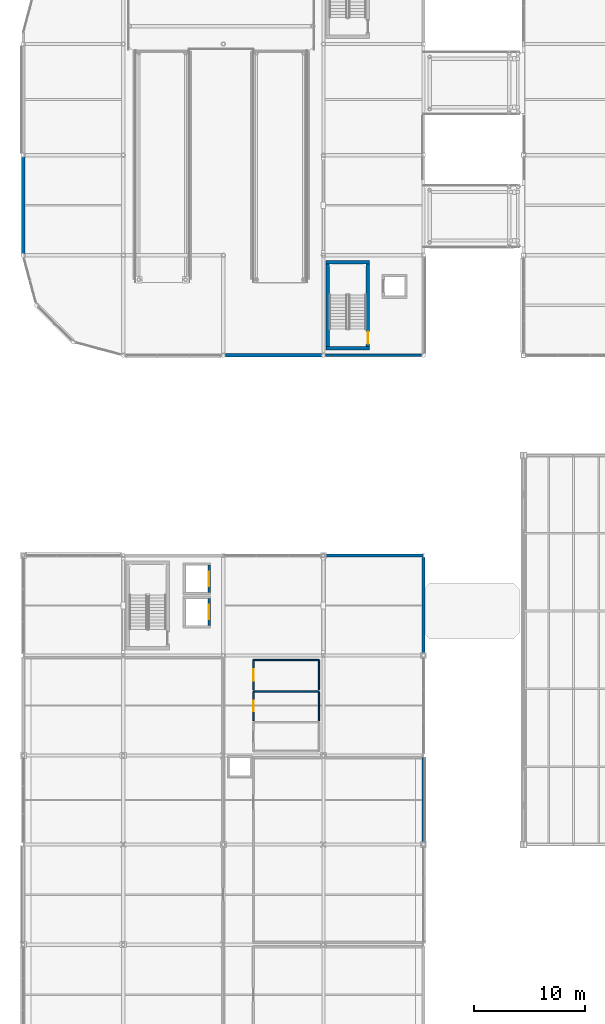
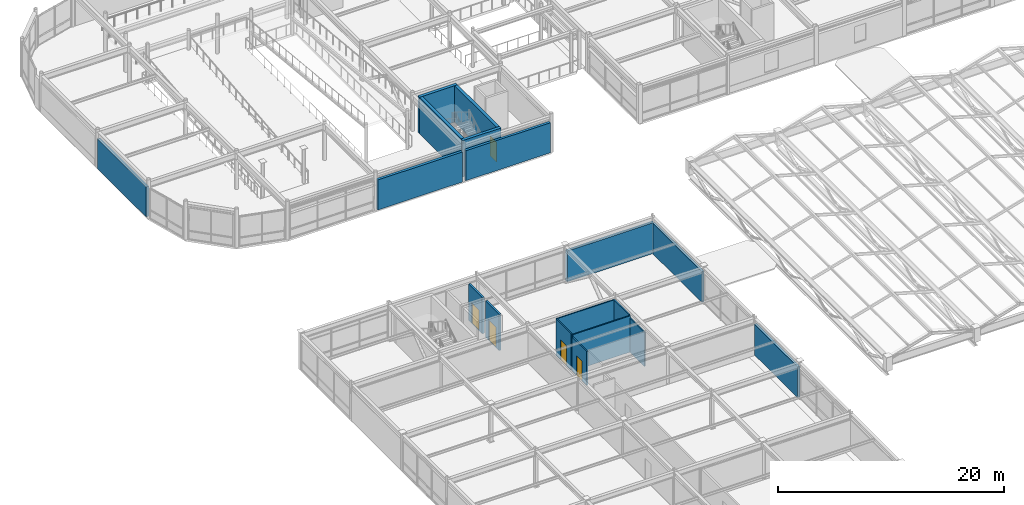
# One storey, part 78 of 108: 18 walls, 5 doors, 5 openings.
"""IFC4 building model written with IfcOpenShell, lengths in metres."""

from ifc_helpers import new_model, si_unit, direction, frame, frame_2d, origin, place, context, subcontext, project, spatial, rectangle, extrude, material, layer, layer_set, type_object, element, fill, save


model = new_model("IFC4")

# Units and contexts
model_context = context("Model", 3, precision=1e-05, world=origin(), true_north=direction((0.0, 1.0)))
body_context = subcontext(model_context, "Body", "Model", "MODEL_VIEW")
ifc_project = project(units=[si_unit("LENGTHUNIT", "METRE"), si_unit("AREAUNIT", "SQUARE_METRE"), si_unit("VOLUMEUNIT", "CUBIC_METRE"), si_unit("PLANEANGLEUNIT", "RADIAN"), si_unit("MASSUNIT", "GRAM", prefix="KILO")], contexts=[model_context])

# Site, building, storey
site_placement = place(None, origin())
site = spatial("IfcSite", under=ifc_project, at=site_placement, CompositionType="ELEMENT")
building_placement = place(site_placement, origin())
building = spatial("IfcBuilding", under=site, at=building_placement, Name="Suzunagisa Mobility Hub", CompositionType="ELEMENT")
storey_placement = place(building_placement, frame((0.0, 0.0, 9.300048828125)))
storey = spatial("IfcBuildingStorey", under=building, at=storey_placement, Name="L02", CompositionType="ELEMENT", Elevation=9.300048828125)

# Walls
ifc_material_1 = material(Name="Porcelain-Faced Insulated Concrete C30/37 Wall", Category="concrete")
ifc_layer_1 = layer(ifc_material_1, 0.260009765625)
ifc_layer_set_1 = layer_set([ifc_layer_1], Name="Porcelain-Faced Insulated Concrete C30/37 Wall")
wall_type_1 = type_object("IfcWallType", Name="Exterior Wall EW-03 260mm", PredefinedType="SOLIDWALL", material=ifc_layer_set_1)
wall_1_placement = place(storey_placement, frame((36.0, 36.14990234375, 0.0), z_axis=(0.0, 0.0, 1.0), x_axis=(0.0, 1.0, 0.0)))
element("IfcWall", 1, at=wall_1_placement, inside=storey, type_object=wall_type_1, Name="L02 Exterior Facade Wall EW-50", PredefinedType="SOLIDWALL", context=body_context, shape_type="SweptSolid", body=[
    extrude(rectangle(XDim=7.68017578125, YDim=0.260009765625, at=frame_2d((3.840087890625, 0.0))), origin(), (0.0, 0.0, 1.0), 3.33203125),
])
wall_2_placement = place(storey_placement, frame((27.177734375, 80.0, 0.0), z_axis=(0.0, 0.0, 1.0), x_axis=(1.0, 0.0, 0.0)))
element("IfcWall", 2, at=wall_2_placement, inside=storey, type_object=wall_type_1, Name="L02 Exterior Facade Wall EW-114", PredefinedType="SOLIDWALL", context=body_context, shape_type="SweptSolid", body=[
    extrude(rectangle(XDim=8.64453125, YDim=0.260009765625, at=frame_2d((4.322265625, 0.0))), origin(), (0.0, 0.0, 1.0), 3.25),
])
ifc_material_2 = material(Name="Lightweight Insulated Autoclaved Concrete C30/37 Wall", Category="concrete")
ifc_layer_2 = layer(ifc_material_2, 0.239990234375)
ifc_layer_set_2 = layer_set([ifc_layer_2], Name="Lightweight Insulated Autoclaved Concrete C30/37 Wall")
wall_type_2 = type_object("IfcWallType", Name="Exterior Wall EW-04 240mm", PredefinedType="SOLIDWALL", material=ifc_layer_set_2)
wall_3_placement = place(storey_placement, frame((36.0, 53.14990234375, 0.0), z_axis=(0.0, 0.0, 1.0), x_axis=(0.0, 1.0, 0.0)))
element("IfcWall", 3, at=wall_3_placement, inside=storey, type_object=wall_type_2, Name="L02 Exterior Facade Wall EW-51", PredefinedType="SOLIDWALL", context=body_context, shape_type="SweptSolid", body=[
    extrude(rectangle(XDim=8.68017578125, YDim=0.239990234375, at=frame_2d((4.340087890625, 0.0))), origin(), (0.0, 0.0, 1.0), 3.33203125),
])
ifc_layer_3 = layer(ifc_material_1, 0.280029296875)
ifc_layer_set_3 = layer_set([ifc_layer_3], Name="Porcelain-Faced Insulated Concrete C30/37 Wall")
wall_type_3 = type_object("IfcWallType", Name="Exterior Wall EW-08 280mm", PredefinedType="SOLIDWALL", material=ifc_layer_set_3)
for number, where, z_axis, x_axis, name in (
    (4, (18.177734375, 80.0, 0.0), (0.0, 0.0, 1.0), (1.0, 0.0, 0.0), "L02 Exterior Facade Wall EW-113"),
    (5, (0.0, 97.822265625, 0.0), (0.0, 0.0, 1.0), (0.0, -1.0, 0.0), "L02 Exterior Facade Wall EW-121"),
):
    element("IfcWall", number, at=place(storey_placement, frame(where, z_axis=z_axis, x_axis=x_axis)), inside=storey, type_object=wall_type_3, Name=name, PredefinedType="SOLIDWALL", context=body_context, shape_type="SweptSolid", body=[
        extrude(rectangle(XDim=8.64453125, YDim=0.280029296875, at=frame_2d((4.322265625, 0.0))), origin(), (0.0, 0.0, 1.0), 3.25),
    ])
ifc_material_3 = material(Name="Insulated Precast Concrete C35/45 Panel", Category="concrete")
ifc_layer_4 = layer(ifc_material_3, 0.300048828125)
ifc_layer_set_4 = layer_set([ifc_layer_4], Name="Insulated Precast Concrete C35/45 Panel")
wall_type_4 = type_object("IfcWallType", Name="Exterior Wall EW-09 300mm", PredefinedType="SOLIDWALL", material=ifc_layer_set_4)
wall_4_placement = place(storey_placement, frame((35.99560546875, 62.0, 0.0), z_axis=(0.0, 0.0, 1.0), x_axis=(-1.0, 0.0, 0.0)))
element("IfcWall", 6, at=wall_4_placement, inside=storey, type_object=wall_type_4, Name="L02 Exterior Facade Wall EW-52", PredefinedType="SOLIDWALL", context=body_context, shape_type="SweptSolid", body=[
    extrude(rectangle(XDim=8.845703125, YDim=0.300048828125, at=frame_2d((4.4228515625, 0.0))), origin(), (0.0, 0.0, 1.0), 3.33203125),
])
ifc_material_4 = material(Name="Concrete C35/45", Category="concrete")
ifc_layer_5 = layer(ifc_material_4, 0.31005859375)
ifc_layer_set_5 = layer_set([ifc_layer_5], Name="Concrete C35/45")
wall_type_5 = type_object("IfcWallType", Name="Interior Wall IW-01 310mm", PredefinedType="SHEAR", material=ifc_layer_set_5)
for number, where, z_axis, x_axis, name in (
    (7, (27.25, 80.64501953125, 0.0), (0.0, 0.0, 1.0), (1.0, 0.0, 0.0), "L02 Core C6 Shear Wall SW-133"),
    (8, (27.25, 88.35498046875, 0.0), (0.0, 0.0, 1.0), (1.0, 0.0, 0.0), "L02 Core C6 Shear Wall SW-134"),
):
    element("IfcWall", number, at=place(storey_placement, frame(where, z_axis=z_axis, x_axis=x_axis)), inside=storey, type_object=wall_type_5, Name=name, PredefinedType="SHEAR", context=body_context, shape_type="SweptSolid", body=[
        extrude(rectangle(XDim=3.89990234375, YDim=0.31005859375, at=frame_2d((1.949951171875, 0.0))), origin(), (0.0, 0.0, 1.0), 3.949951171875),
    ])
wall_5_placement = place(storey_placement, frame((27.405029296875, 80.800048828125, 0.0), z_axis=(0.0, 0.0, 1.0), x_axis=(0.0, 1.0, 0.0)))
element("IfcWall", 9, at=wall_5_placement, inside=storey, type_object=wall_type_5, Name="L02 Core C6 Shear Wall SW-135", PredefinedType="SHEAR", context=body_context, shape_type="SweptSolid", body=[
    extrude(rectangle(XDim=7.39990234375, YDim=0.31005859375, at=frame_2d((3.699951171875, 0.0))), origin(), (0.0, 0.0, 1.0), 3.949951171875),
])

# Wall, opening, door
wall_6_placement = place(storey_placement, frame((30.9951171875, 80.800048828125, 0.0), z_axis=(0.0, 0.0, 1.0), x_axis=(0.0, 1.0, 0.0)))
wall_6 = element("IfcWall", 10, at=wall_6_placement, inside=storey, type_object=wall_type_5, Name="L02 Core C6 Shear Wall SW-136", PredefinedType="SHEAR", context=body_context, shape_type="SweptSolid", body=[
    extrude(rectangle(XDim=7.39990234375, YDim=0.31005859375, at=frame_2d((3.699951171875, 0.0))), origin(), (0.0, 0.0, 1.0), 3.949951171875),
])
opening_1_placement = place(wall_6_placement, frame((0.219970703125, 0.0, 0.0)))
opening_1 = element("IfcOpeningElement", 11, at=opening_1_placement, cuts=wall_6, Name="Opening DR-05", PredefinedType="OPENING", context=body_context, shape_type="SweptSolid", body=[
    extrude(rectangle(XDim=1.10009765625, YDim=2.14990234375, at=frame_2d((0.550048828125, 1.074951171875))), frame((0.0, 0.166015625, 0.0), z_axis=(0.0, -1.0, 0.0), x_axis=(1.0, 0.0, 0.0)), (0.0, 0.0, 1.0), 0.33203125),
])
ifc_material_5 = material(Name="Fire-Rated Hollow Steel Stair Door", Category="steel")
door_type_1 = type_object("IfcDoorType", Name="Interior Door DR-05 1100x2150", OperationType="SINGLE_SWING_LEFT", PredefinedType="DOOR", material=ifc_material_5)
door_1_placement = place(opening_1_placement, origin())
door_1 = element("IfcDoor", 12, at=door_1_placement, inside=storey, type_object=door_type_1, Name="L02 Core C6 Escape Stair Fire Door SD-32", OperationType="SINGLE_SWING_RIGHT", OverallHeight=2.14990234375, OverallWidth=1.10009765625, PredefinedType="DOOR", context=body_context, shape_type="SweptSolid", body=[
    extrude(rectangle(XDim=1.10009765625, YDim=2.14990234375, at=frame_2d((0.550048828125, 1.074951171875))), frame((0.0, 0.02490234375, 0.0), z_axis=(0.0, -1.0, 0.0), x_axis=(1.0, 0.0, 0.0)), (0.0, 0.0, 1.0), 0.050048828125),
])
fill(opening_1, door_1)

# Wall
ifc_material_6 = material(Name="Moisture-Resistant Gypsum Partition", Category="gypsum")
ifc_layer_6 = layer(ifc_material_6, 0.1201171875)
ifc_layer_set_6 = layer_set([ifc_layer_6], Name="Moisture-Resistant Gypsum Partition")
wall_type_6 = type_object("IfcWallType", Name="Interior Wall IW-02 120mm", PredefinedType="PARTITIONING", material=ifc_layer_set_6)
wall_7_placement = place(storey_placement, frame((20.699951171875, 49.75, 0.0), z_axis=(0.0, 0.0, 1.0), x_axis=(1.0, 0.0, 0.0)))
element("IfcWall", 13, at=wall_7_placement, inside=storey, type_object=wall_type_6, Name="L02 West Concourse Female WC L02 Partition PW-669", PredefinedType="PARTITIONING", context=body_context, shape_type="SweptSolid", body=[
    extrude(rectangle(XDim=5.900146484375, YDim=0.1201171875, at=frame_2d((2.9501953125, 0.0))), origin(), (0.0, 0.0, 1.0), 3.919921875),
])

# Wall, opening, door
wall_8_placement = place(storey_placement, frame((20.699951171875, 47.14990234375, 0.0), z_axis=(0.0, 0.0, 1.0), x_axis=(0.0, 1.0, 0.0)))
wall_8 = element("IfcWall", 14, at=wall_8_placement, inside=storey, type_object=wall_type_6, Name="L02 West Concourse Female WC L02 Partition PW-670", PredefinedType="PARTITIONING", context=body_context, shape_type="SweptSolid", body=[
    extrude(rectangle(XDim=2.60009765625, YDim=0.1201171875, at=frame_2d((1.300048828125, 0.0))), origin(), (0.0, 0.0, 1.0), 3.669921875),
])
opening_2_placement = place(wall_8_placement, frame((0.824951171875, 0.0, 0.0)))
opening_2 = element("IfcOpeningElement", 15, at=opening_2_placement, cuts=wall_8, Name="Opening DR-19", PredefinedType="OPENING", context=body_context, shape_type="SweptSolid", body=[
    extrude(rectangle(XDim=0.949951171875, YDim=2.14990234375, at=frame_2d((0.47509765625, 1.074951171875))), frame((0.0, 0.071044921875, 0.0), z_axis=(0.0, -1.0, 0.0), x_axis=(1.0, 0.0, 0.0)), (0.0, 0.0, 1.0), 0.14208984375),
])
ifc_material_7 = material(Name="Sanitary Restroom Acoustic Door")
door_type_2 = type_object("IfcDoorType", Name="Interior Door DR-19 950x2150", OperationType="SINGLE_SWING_LEFT", PredefinedType="DOOR", material=ifc_material_7)
door_2_placement = place(opening_2_placement, origin())
door_2 = element("IfcDoor", 16, at=door_2_placement, inside=storey, type_object=door_type_2, Name="L02 West Concourse Female WC L02 Door DR-168", OperationType="SINGLE_SWING_LEFT", OverallHeight=2.14990234375, OverallWidth=0.949951171875, PredefinedType="DOOR", context=body_context, shape_type="SweptSolid", body=[
    extrude(rectangle(XDim=0.949951171875, YDim=2.14990234375, at=frame_2d((0.47509765625, 1.074951171875))), frame((0.0, 0.02490234375, 0.0), z_axis=(0.0, -1.0, 0.0), x_axis=(1.0, 0.0, 0.0)), (0.0, 0.0, 1.0), 0.050048828125),
])
fill(opening_2, door_2)

# Walls
wall_9_placement = place(storey_placement, frame((26.60009765625, 47.14990234375, 0.0), z_axis=(0.0, 0.0, 1.0), x_axis=(0.0, 1.0, 0.0)))
element("IfcWall", 17, at=wall_9_placement, inside=storey, type_object=wall_type_6, Name="L02 West Concourse Female WC L02 Partition PW-671", PredefinedType="PARTITIONING", context=body_context, shape_type="SweptSolid", body=[
    extrude(rectangle(XDim=2.60009765625, YDim=0.1201171875, at=frame_2d((1.300048828125, 0.0))), origin(), (0.0, 0.0, 1.0), 3.669921875),
])
wall_10_placement = place(storey_placement, frame((20.699951171875, 52.60009765625, 0.0), z_axis=(0.0, 0.0, 1.0), x_axis=(1.0, 0.0, 0.0)))
element("IfcWall", 18, at=wall_10_placement, inside=storey, type_object=wall_type_6, Name="L02 West Accessible WC L02 Partition PW-672", PredefinedType="PARTITIONING", context=body_context, shape_type="SweptSolid", body=[
    extrude(rectangle(XDim=5.900146484375, YDim=0.1201171875, at=frame_2d((2.9501953125, 0.0))), origin(), (0.0, 0.0, 1.0), 3.919921875),
])

# Wall, opening, door
wall_11_placement = place(storey_placement, frame((20.699951171875, 49.89990234375, 0.0), z_axis=(0.0, 0.0, 1.0), x_axis=(0.0, 1.0, 0.0)))
wall_11 = element("IfcWall", 19, at=wall_11_placement, inside=storey, type_object=wall_type_6, Name="L02 West Accessible WC L02 Partition PW-673", PredefinedType="PARTITIONING", context=body_context, shape_type="SweptSolid", body=[
    extrude(rectangle(XDim=2.7001953125, YDim=0.1201171875, at=frame_2d((1.35009765625, 0.0))), origin(), (0.0, 0.0, 1.0), 3.919921875),
])
opening_3_placement = place(wall_11_placement, frame((0.85009765625, 0.0, 0.0)))
opening_3 = element("IfcOpeningElement", 20, at=opening_3_placement, cuts=wall_11, Name="Opening DR-01", PredefinedType="OPENING", context=body_context, shape_type="SweptSolid", body=[
    extrude(rectangle(XDim=1.0, YDim=2.14990234375, at=frame_2d((0.5, 1.074951171875))), frame((0.0, 0.071044921875, 0.0), z_axis=(0.0, -1.0, 0.0), x_axis=(1.0, 0.0, 0.0)), (0.0, 0.0, 1.0), 0.14208984375),
])
ifc_material_8 = material(Name="Barrier-Free Accessible WC Door")
door_type_3 = type_object("IfcDoorType", Name="Interior Door DR-01 1000x2150", OperationType="SINGLE_SWING_LEFT", PredefinedType="DOOR", material=ifc_material_8)
door_3_placement = place(opening_3_placement, origin())
door_3 = element("IfcDoor", 21, at=door_3_placement, inside=storey, type_object=door_type_3, Name="L02 West Accessible WC L02 Door DR-169", OperationType="SINGLE_SWING_RIGHT", OverallHeight=2.14990234375, OverallWidth=1.0, PredefinedType="DOOR", context=body_context, shape_type="SweptSolid", body=[
    extrude(rectangle(XDim=1.0, YDim=2.14990234375, at=frame_2d((0.5, 1.074951171875))), frame((0.0, 0.02490234375, 0.0), z_axis=(0.0, -1.0, 0.0), x_axis=(1.0, 0.0, 0.0)), (0.0, 0.0, 1.0), 0.050048828125),
])
fill(opening_3, door_3)

# Wall
wall_12_placement = place(storey_placement, frame((26.60009765625, 49.89990234375, 0.0), z_axis=(0.0, 0.0, 1.0), x_axis=(0.0, 1.0, 0.0)))
element("IfcWall", 22, at=wall_12_placement, inside=storey, type_object=wall_type_6, Name="L02 West Accessible WC L02 Partition PW-674", PredefinedType="PARTITIONING", context=body_context, shape_type="SweptSolid", body=[
    extrude(rectangle(XDim=2.7001953125, YDim=0.1201171875, at=frame_2d((1.35009765625, 0.0))), origin(), (0.0, 0.0, 1.0), 3.919921875),
])

# Wall, opening, door
ifc_material_9 = material(Name="Fire-Rated Gypsum Stud Partition", Category="gypsum")
ifc_layer_7 = layer(ifc_material_9, 0.2099609375)
ifc_layer_set_7 = layer_set([ifc_layer_7], Name="Fire-Rated Gypsum Stud Partition")
wall_type_7 = type_object("IfcWallType", Name="Interior Wall IW-03 210mm", PredefinedType="PARTITIONING", material=ifc_layer_set_7)
wall_13_placement = place(storey_placement, frame((16.72509765625, 55.679931640625, 0.0), z_axis=(0.0, 0.0, 1.0), x_axis=(0.0, 1.0, 0.0)))
wall_13 = element("IfcWall", 23, at=wall_13_placement, inside=storey, type_object=wall_type_7, Name="L02 Lift LF-01 Shaft Front Wall", PredefinedType="PARTITIONING", context=body_context, shape_type="SweptSolid", body=[
    extrude(rectangle(XDim=2.440185546875, YDim=0.2099609375, at=frame_2d((1.22021484375, 0.0))), origin(), (0.0, 0.0, 1.0), 3.919921875),
])
opening_4_placement = place(wall_13_placement, frame((0.570068359375, 0.0, 0.0)))
opening_4 = element("IfcOpeningElement", 24, at=opening_4_placement, cuts=wall_13, Name="Opening LD-02", PredefinedType="OPENING", context=body_context, shape_type="SweptSolid", body=[
    extrude(rectangle(XDim=1.300048828125, YDim=2.199951171875, at=frame_2d((0.64990234375, 1.10009765625))), frame((0.0, 0.115966796875, 0.0), z_axis=(0.0, -1.0, 0.0), x_axis=(1.0, 0.0, 0.0)), (0.0, 0.0, 1.0), 0.23193359375),
])
ifc_material_10 = material(Name="Brushed Stainless Steel SUS304", Category="metal")
door_type_4 = type_object("IfcDoorType", Name="Lift Landing Sliding Door LD-02 1300x2200", OperationType="SLIDING_TO_LEFT", PredefinedType="DOOR", material=ifc_material_10)
door_4_placement = place(opening_4_placement, origin())
door_4 = element("IfcDoor", 25, at=door_4_placement, inside=storey, type_object=door_type_4, Name="L02 Lift LF-01 Sliding Landing Door", OperationType="SLIDING_TO_LEFT", OverallHeight=2.199951171875, OverallWidth=1.300048828125, PredefinedType="DOOR", context=body_context, shape_type="SweptSolid", body=[
    extrude(rectangle(XDim=1.300048828125, YDim=2.199951171875, at=frame_2d((0.64990234375, 1.10009765625))), frame((0.0, 0.02490234375, 0.0), z_axis=(0.0, -1.0, 0.0), x_axis=(1.0, 0.0, 0.0)), (0.0, 0.0, 1.0), 0.050048828125),
])
fill(opening_4, door_4)

wall_14_placement = place(storey_placement, frame((16.72509765625, 58.679931640625, 0.0), z_axis=(0.0, 0.0, 1.0), x_axis=(0.0, 1.0, 0.0)))
wall_14 = element("IfcWall", 26, at=wall_14_placement, inside=storey, type_object=wall_type_7, Name="L02 Lift LF-02 Shaft Front Wall", PredefinedType="PARTITIONING", context=body_context, shape_type="SweptSolid", body=[
    extrude(rectangle(XDim=2.440185546875, YDim=0.2099609375, at=frame_2d((1.22021484375, 0.0))), origin(), (0.0, 0.0, 1.0), 3.919921875),
])
opening_5_placement = place(wall_14_placement, frame((0.570068359375, 0.0, 0.0)))
opening_5 = element("IfcOpeningElement", 27, at=opening_5_placement, cuts=wall_14, Name="Opening LD-02", PredefinedType="OPENING", context=body_context, shape_type="SweptSolid", body=[
    extrude(rectangle(XDim=1.300048828125, YDim=2.199951171875, at=frame_2d((0.64990234375, 1.10009765625))), frame((0.0, 0.115966796875, 0.0), z_axis=(0.0, -1.0, 0.0), x_axis=(1.0, 0.0, 0.0)), (0.0, 0.0, 1.0), 0.23193359375),
])
door_5_placement = place(opening_5_placement, origin())
door_5 = element("IfcDoor", 28, at=door_5_placement, inside=storey, type_object=door_type_4, Name="L02 Lift LF-02 Sliding Landing Door", OperationType="SLIDING_TO_RIGHT", OverallHeight=2.199951171875, OverallWidth=1.300048828125, PredefinedType="DOOR", context=body_context, shape_type="SweptSolid", body=[
    extrude(rectangle(XDim=1.300048828125, YDim=2.199951171875, at=frame_2d((0.64990234375, 1.10009765625))), frame((0.0, 0.02490234375, 0.0), z_axis=(0.0, -1.0, 0.0), x_axis=(1.0, 0.0, 0.0)), (0.0, 0.0, 1.0), 0.050048828125),
])
fill(opening_5, door_5)

save(model, "model.ifc")
